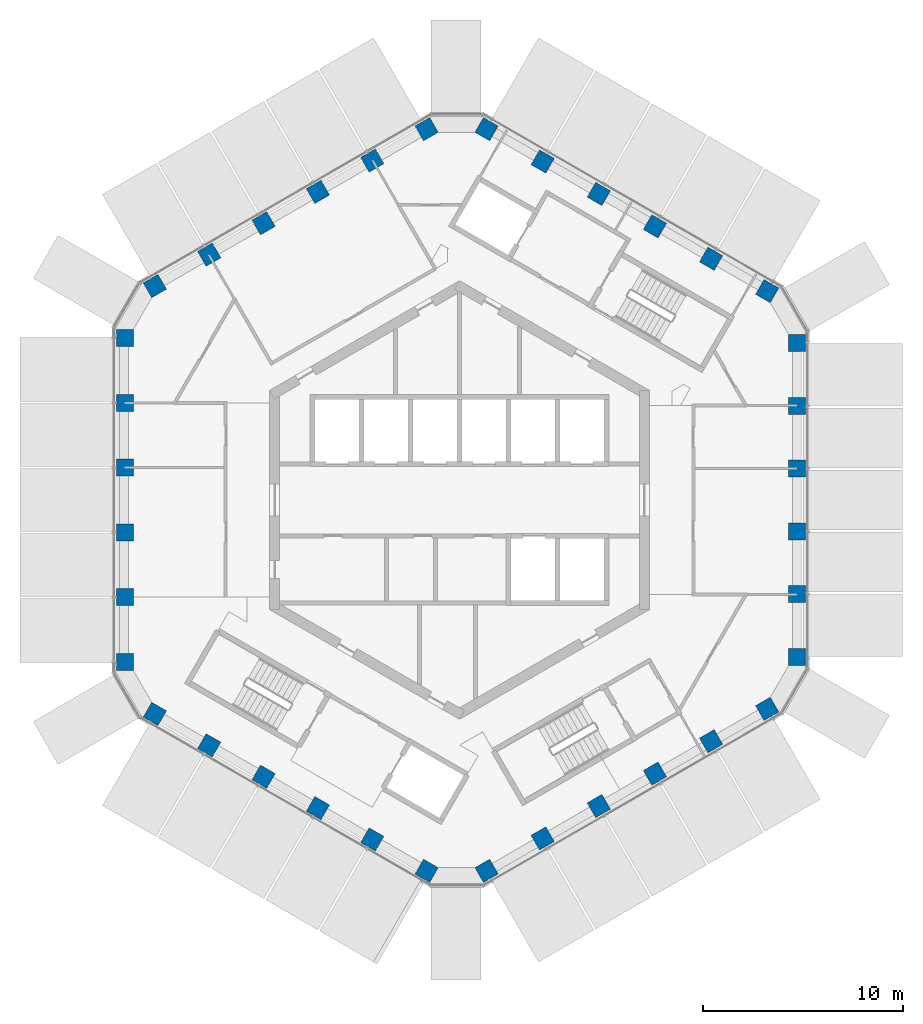
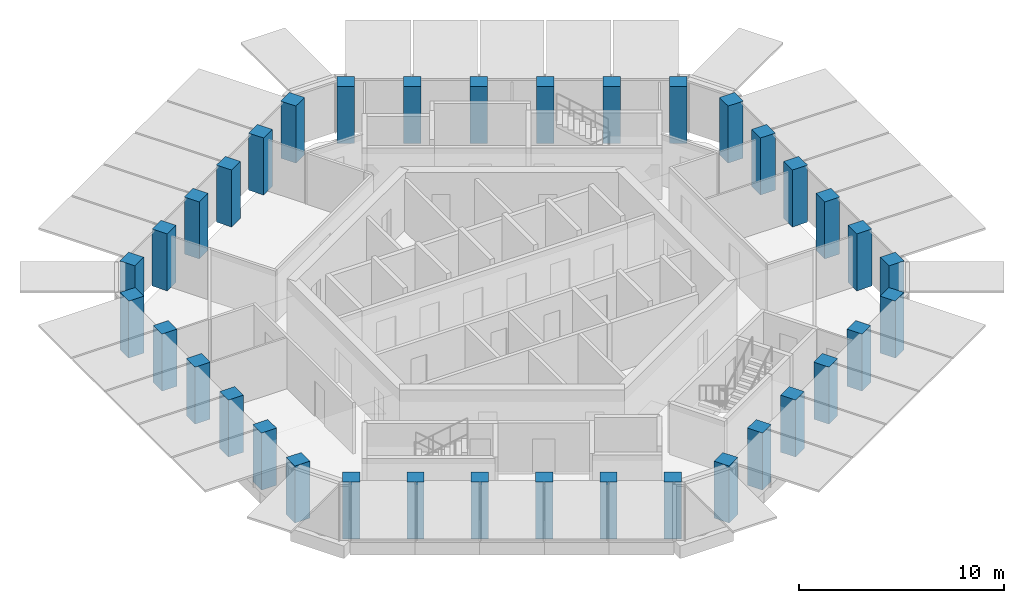
# One storey, part 1 of 17: 36 columns.
"""IFC4 building model written with IfcOpenShell, lengths in metres."""

from ifc_helpers import new_model, si_unit, direction, frame, origin, origin_2d, place, context, subcontext, project, spatial, rectangle, extrude, material, material_profile, profile_set, type_object, element, save


model = new_model("IFC4")

# Units and contexts
model_context = context("Model", 3, precision=1e-05, world=origin(), true_north=direction((0.0, 1.0)))
body_context = subcontext(model_context, "Body", "Model", "MODEL_VIEW")
ifc_project = project(units=[si_unit("LENGTHUNIT", "METRE"), si_unit("AREAUNIT", "SQUARE_METRE"), si_unit("VOLUMEUNIT", "CUBIC_METRE"), si_unit("PLANEANGLEUNIT", "RADIAN"), si_unit("MASSUNIT", "GRAM", prefix="KILO")], contexts=[model_context])

# Site, building, storey
site_placement = place(None, origin())
site = spatial("IfcSite", under=ifc_project, at=site_placement, CompositionType="ELEMENT")
building_placement = place(site_placement, origin())
building = spatial("IfcBuilding", under=site, at=building_placement, Name="Ayvan Gate Tower", CompositionType="ELEMENT")
storey_placement = place(building_placement, frame((0.0, 0.0, 225.699951171875)))
storey = spatial("IfcBuildingStorey", under=building, at=storey_placement, Name="L60", CompositionType="ELEMENT", Elevation=225.699951171875)

# Columns
ifc_material = material(Name="Concrete C50/60", Category="concrete")
ifc_material_profile = material_profile(ifc_material, rectangle(XDim=0.85009765625, YDim=0.85009765625, at=origin_2d()), Name="RC 850x850")
ifc_profile_set = profile_set([ifc_material_profile], Name="Concrete C50/60")
column_type = type_object("IfcColumnType", Name="Tube column RC 850x850 C50/60", PredefinedType="COLUMN", material=ifc_profile_set)
for number, where, z_axis, x_axis, name in (
    (1, (16.887451171875, -7.8466796875, 0.0), (0.0, 0.0, 1.0), (1.0, 0.0, 0.0), "C-T0-0-L60"),
    (2, (16.887451171875, -4.7080078125, 0.0), (0.0, 0.0, 1.0), (1.0, 0.0, 0.0), "C-T0-1-L60"),
    (3, (16.887451171875, -1.5693359375, 0.0), (0.0, 0.0, 1.0), (1.0, 0.0, 0.0), "C-T0-2-L60"),
    (4, (16.887451171875, 1.5693359375, 0.0), (0.0, 0.0, 1.0), (1.0, 0.0, 0.0), "C-T0-3-L60"),
    (5, (16.887451171875, 4.7080078125, 0.0), (0.0, 0.0, 1.0), (1.0, 0.0, 0.0), "C-T0-4-L60"),
    (6, (16.887451171875, 7.8466796875, 0.0), (0.0, 0.0, 1.0), (1.0, 0.0, 0.0), "C-T0-5-L60"),
    (7, (15.387451171875, 10.44482421875, 0.0), (0.0, 0.0, 1.0), (0.5, 0.866025403784, 0.0), "C-T1-0-L60"),
    (8, (12.580322265625, 12.0654296875, 0.0), (0.0, 0.0, 1.0), (0.5, 0.866025403784, 0.0), "C-T1-1-L60"),
    (9, (9.773193359375, 13.68603515625, 0.0), (0.0, 0.0, 1.0), (0.5, 0.866025403784, 0.0), "C-T1-2-L60"),
    (10, (6.966064453125, 15.306884765625, 0.0), (0.0, 0.0, 1.0), (0.5, 0.866025403784, 0.0), "C-T1-3-L60"),
    (11, (4.15869140625, 16.927490234375, 0.0), (0.0, 0.0, 1.0), (0.5, 0.866025403784, 0.0), "C-T1-4-L60"),
    (12, (1.3515625, 18.54833984375, 0.0), (0.0, 0.0, 1.0), (0.5, 0.866025403784, 0.0), "C-T1-5-L60"),
    (13, (-1.6484375, 18.54833984375, 0.0), (0.0, 0.0, 1.0), (-0.5, 0.866025403784, 0.0), "C-T2-0-L60"),
    (14, (-4.366455078125, 16.97900390625, 0.0), (0.0, 0.0, 1.0), (-0.5, 0.866025403784, 0.0), "C-T2-1-L60"),
    (15, (-7.084716796875, 15.40966796875, 0.0), (0.0, 0.0, 1.0), (-0.5, 0.866025403784, 0.0), "C-T2-2-L60"),
    (16, (-9.802734375, 13.84033203125, 0.0), (0.0, 0.0, 1.0), (-0.5, 0.866025403784, 0.0), "C-T2-3-L60"),
    (17, (-12.52099609375, 12.27099609375, 0.0), (0.0, 0.0, 1.0), (-0.5, 0.866025403784, 0.0), "C-T2-4-L60"),
    (18, (-15.239013671875, 10.70166015625, 0.0), (0.0, 0.0, 1.0), (-0.5, 0.866025403784, 0.0), "C-T2-5-L60"),
    (19, (-16.739013671875, 8.103515625, 0.0), (0.0, 0.0, 1.0), (-1.0, 0.0, 0.0), "C-T3-0-L60"),
    (20, (-16.739013671875, 4.862060546875, 0.0), (0.0, 0.0, 1.0), (-1.0, 0.0, 0.0), "C-T3-1-L60"),
    (21, (-16.739013671875, 1.62060546875, 0.0), (0.0, 0.0, 1.0), (-1.0, 0.0, 0.0), "C-T3-2-L60"),
    (22, (-16.739013671875, -1.62060546875, 0.0), (0.0, 0.0, 1.0), (-1.0, 0.0, 0.0), "C-T3-3-L60"),
    (23, (-16.739013671875, -4.862060546875, 0.0), (0.0, 0.0, 1.0), (-1.0, 0.0, 0.0), "C-T3-4-L60"),
    (24, (-16.739013671875, -8.103515625, 0.0), (0.0, 0.0, 1.0), (-1.0, 0.0, 0.0), "C-T3-5-L60"),
    (25, (-15.239013671875, -10.70166015625, 0.0), (0.0, 0.0, 1.0), (-0.5, -0.866025403784, 0.0), "C-T4-0-L60"),
    (26, (-12.52099609375, -12.27099609375, 0.0), (0.0, 0.0, 1.0), (-0.5, -0.866025403784, 0.0), "C-T4-1-L60"),
    (27, (-9.802734375, -13.84033203125, 0.0), (0.0, 0.0, 1.0), (-0.5, -0.866025403784, 0.0), "C-T4-2-L60"),
    (28, (-7.084716796875, -15.40966796875, 0.0), (0.0, 0.0, 1.0), (-0.5, -0.866025403784, 0.0), "C-T4-3-L60"),
    (29, (-4.366455078125, -16.97900390625, 0.0), (0.0, 0.0, 1.0), (-0.5, -0.866025403784, 0.0), "C-T4-4-L60"),
    (30, (-1.6484375, -18.54833984375, 0.0), (0.0, 0.0, 1.0), (-0.5, -0.866025403784, 0.0), "C-T4-5-L60"),
    (31, (1.3515625, -18.54833984375, 0.0), (0.0, 0.0, 1.0), (0.5, -0.866025403784, 0.0), "C-T5-0-L60"),
    (32, (4.15869140625, -16.927490234375, 0.0), (0.0, 0.0, 1.0), (0.5, -0.866025403784, 0.0), "C-T5-1-L60"),
    (33, (6.966064453125, -15.306884765625, 0.0), (0.0, 0.0, 1.0), (0.5, -0.866025403784, 0.0), "C-T5-2-L60"),
    (34, (9.773193359375, -13.68603515625, 0.0), (0.0, 0.0, 1.0), (0.5, -0.866025403784, 0.0), "C-T5-3-L60"),
    (35, (12.580322265625, -12.0654296875, 0.0), (0.0, 0.0, 1.0), (0.5, -0.866025403784, 0.0), "C-T5-4-L60"),
    (36, (15.387451171875, -10.44482421875, 0.0), (0.0, 0.0, 1.0), (0.5, -0.866025403784, 0.0), "C-T5-5-L60"),
):
    element("IfcColumn", number, at=place(storey_placement, frame(where, z_axis=z_axis, x_axis=x_axis)), inside=storey, type_object=column_type, Name=name, PredefinedType="COLUMN", context=body_context, shape_type="SweptSolid", body=[
        extrude(rectangle(XDim=0.85009765625, YDim=0.85009765625, at=origin_2d()), origin(), (0.0, 0.0, 1.0), 3.400146484375),
    ])

save(model, "model.ifc")
